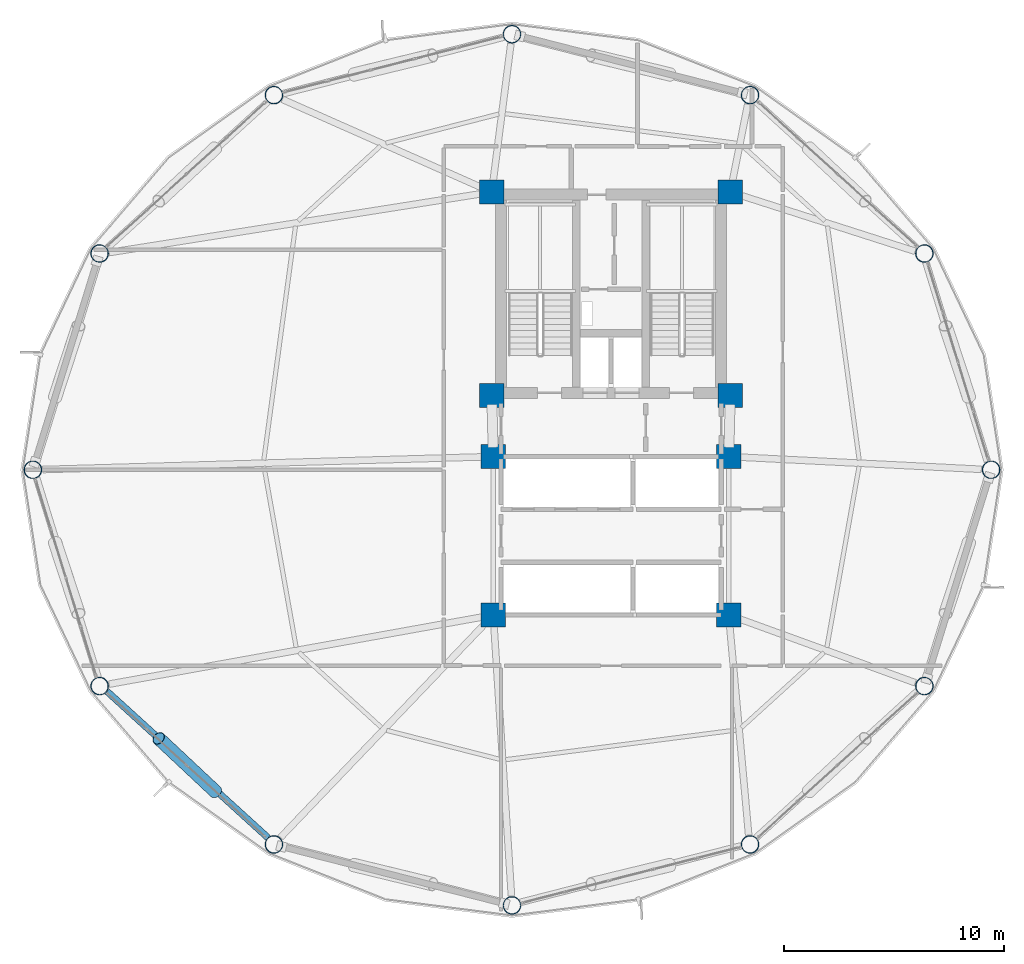
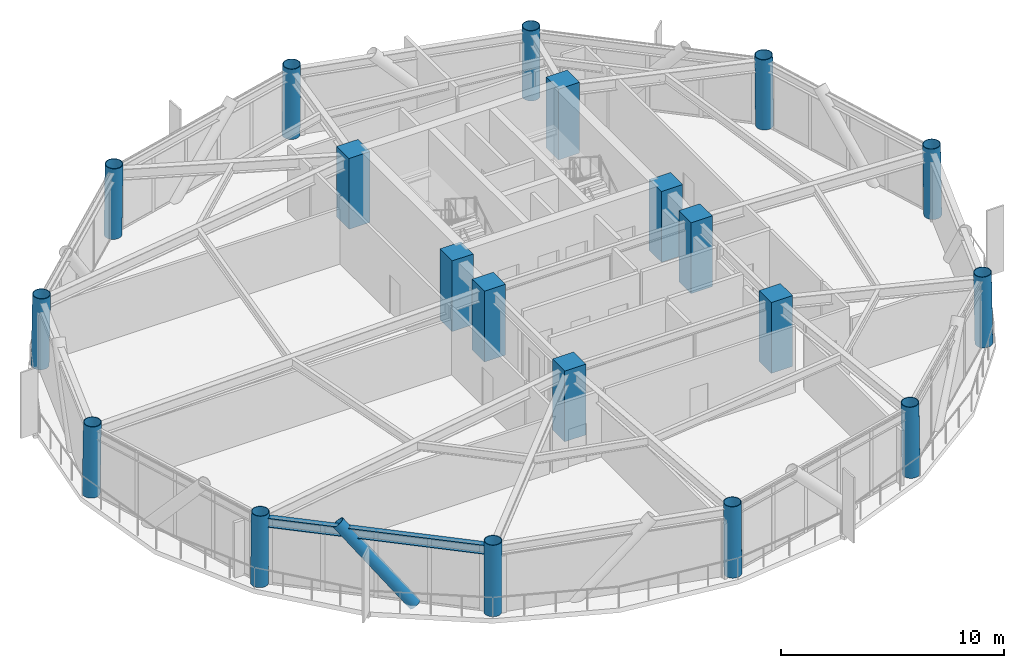
# One storey, part 1 of 25: 20 columns, 1 beam, 1 member.
"""IFC4 building model written with IfcOpenShell, lengths in metres."""

from ifc_helpers import new_model, si_unit, direction, frame, origin, origin_2d, place, context, subcontext, project, spatial, rectangle, hollow_circle, i_section, extrude, material, material_profile, profile_set, type_object, element, save


model = new_model("IFC4")

# Units and contexts
model_context = context("Model", 3, precision=1e-05, world=origin(), true_north=direction((0.0, 1.0)))
body_context = subcontext(model_context, "Body", "Model", "MODEL_VIEW")
ifc_project = project(units=[si_unit("LENGTHUNIT", "METRE"), si_unit("AREAUNIT", "SQUARE_METRE"), si_unit("VOLUMEUNIT", "CUBIC_METRE"), si_unit("PLANEANGLEUNIT", "RADIAN"), si_unit("MASSUNIT", "GRAM", prefix="KILO")], contexts=[model_context])

# Site, building, storey
site_placement = place(None, origin())
site = spatial("IfcSite", under=ifc_project, at=site_placement, CompositionType="ELEMENT")
building_placement = place(site_placement, origin())
building = spatial("IfcBuilding", under=site, at=building_placement, Name="Varnakorn Sky Granary", CompositionType="ELEMENT")
storey_placement = place(building_placement, frame((0.0, 0.0, 91.5)))
storey = spatial("IfcBuildingStorey", under=building, at=storey_placement, Name="L22", CompositionType="ELEMENT", Elevation=91.5)

# Columns
ifc_material_1 = material(Name="Steel S460M", Category="steel")
ifc_material_profile_1 = material_profile(ifc_material_1, hollow_circle(Radius=0.406494140625, WallThickness=0.030029296875, at=origin_2d()), Name="CHS 813x30")
ifc_profile_set_1 = profile_set([ifc_material_profile_1], Name="Steel S460M")
column_type_1 = type_object("IfcColumnType", Name="COL-DC-Z2", PredefinedType="COLUMN", material=ifc_profile_set_1)
for number, where, z_axis, x_axis, name in (
    (1, (20.282958984375, 0.0, 0.0), (-0.017008627934, 0.0, 0.999855342825), (0.0, -1.0, 0.0), "Drum Perimeter Column DC01 L22"),
    (2, (17.247802734375, 9.83349609375, 0.0), (-0.014741072013, -0.006047619287, 0.999873055491), (0.379556356256, -0.925168618375, 0.0), "Drum Perimeter Column DC02 L22"),
):
    element("IfcColumn", number, at=place(storey_placement, frame(where, z_axis=z_axis, x_axis=x_axis)), inside=storey, type_object=column_type_1, Name=name, PredefinedType="COLUMN", context=body_context, shape_type="SweptSolid", body=[
        extrude(hollow_circle(Radius=0.406494140625, WallThickness=0.030029296875, at=origin_2d()), origin(), (0.0, 0.0, 1.0), 3.87548828125),
    ])
for number, where, z_axis, x_axis, name in (
    (3, (9.323974609375, 17.031982421875, 0.0), (-0.008504771612, -0.010457719168, 0.999909148358), (0.775828002152, -0.630944459582, 0.0), "Drum Perimeter Column DC03 L22"),
    (4, (-1.5, 19.802001953125, 0.0), (0.0, -0.012158879352, 0.999926078094), (1.0, 0.0, 0.0), "Drum Perimeter Column DC04 L22"),
    (5, (-12.323974609375, 17.031982421875, 0.0), (0.008504771612, -0.010457719168, 0.999909148358), (0.775828002152, 0.630944459582, 0.0), "Drum Perimeter Column DC05 L22"),
):
    element("IfcColumn", number, at=place(storey_placement, frame(where, z_axis=z_axis, x_axis=x_axis)), inside=storey, type_object=column_type_1, Name=name, PredefinedType="COLUMN", context=body_context, shape_type="SweptSolid", body=[
        extrude(hollow_circle(Radius=0.406494140625, WallThickness=0.030029296875, at=origin_2d()), origin(), (0.0, 0.0, 1.0), 3.875244140625),
    ])
for number, where, z_axis, x_axis, name in (
    (6, (-20.247802734375, 9.83349609375, 0.0), (0.014741072013, -0.006047619287, 0.999873055491), (0.379556356256, 0.925168618375, 0.0), "Drum Perimeter Column DC06 L22"),
    (7, (-23.282958984375, 0.0, 0.0), (0.017008627934, 0.0, 0.999855342825), (0.0, 1.0, 0.0), "Drum Perimeter Column DC07 L22"),
    (8, (-20.247802734375, -9.83349609375, 0.0), (0.014741072013, 0.006047619287, 0.999873055491), (-0.379556356256, 0.925168618375, 0.0), "Drum Perimeter Column DC08 L22"),
):
    element("IfcColumn", number, at=place(storey_placement, frame(where, z_axis=z_axis, x_axis=x_axis)), inside=storey, type_object=column_type_1, Name=name, PredefinedType="COLUMN", context=body_context, shape_type="SweptSolid", body=[
        extrude(hollow_circle(Radius=0.406494140625, WallThickness=0.030029296875, at=origin_2d()), origin(), (0.0, 0.0, 1.0), 3.87548828125),
    ])
for number, where, z_axis, x_axis, name in (
    (9, (-12.323974609375, -17.031982421875, 0.0), (0.008504771612, 0.010457719168, 0.999909148358), (-0.775828002152, 0.630944459582, 0.0), "Drum Perimeter Column DC09 L22"),
    (10, (-1.5, -19.802001953125, 0.0), (0.0, 0.012158879352, 0.999926078094), (-1.0, 0.0, 0.0), "Drum Perimeter Column DC10 L22"),
    (11, (9.323974609375, -17.031982421875, 0.0), (-0.008504771612, 0.010457719168, 0.999909148358), (-0.775828002152, -0.630944459582, 0.0), "Drum Perimeter Column DC11 L22"),
):
    element("IfcColumn", number, at=place(storey_placement, frame(where, z_axis=z_axis, x_axis=x_axis)), inside=storey, type_object=column_type_1, Name=name, PredefinedType="COLUMN", context=body_context, shape_type="SweptSolid", body=[
        extrude(hollow_circle(Radius=0.406494140625, WallThickness=0.030029296875, at=origin_2d()), origin(), (0.0, 0.0, 1.0), 3.875244140625),
    ])
column_placement = place(storey_placement, frame((17.247802734375, -9.83349609375, 0.0), z_axis=(-0.014741072013, 0.006047619287, 0.999873055491), x_axis=(-0.379556356256, -0.925168618375, 0.0)))
element("IfcColumn", 12, at=column_placement, inside=storey, type_object=column_type_1, Name="Drum Perimeter Column DC12 L22", PredefinedType="COLUMN", context=body_context, shape_type="SweptSolid", body=[
    extrude(hollow_circle(Radius=0.406494140625, WallThickness=0.030029296875, at=origin_2d()), origin(), (0.0, 0.0, 1.0), 3.87548828125),
])
ifc_material_2 = material(Name="Concrete C60/75", Category="concrete")
ifc_material_profile_2 = material_profile(ifc_material_2, rectangle(XDim=1.10009765625, YDim=1.10009765625, at=origin_2d()), Name="RC 1100x1100")
ifc_profile_set_2 = profile_set([ifc_material_profile_2], Name="Concrete C60/75")
column_type_2 = type_object("IfcColumnType", Name="COL-MC-Z2", PredefinedType="COLUMN", material=ifc_profile_set_2)
for number, where, z_axis, x_axis, name in (
    (13, (-2.419921875, 12.6201171875, 0.0), (0.0, 0.0, 1.0), (1.0, 0.0, 0.0), "Backbone Mega-Column MC1 L22"),
    (14, (8.419921875, 12.6201171875, 0.0), (0.0, 0.0, 1.0), (1.0, 0.0, 0.0), "Backbone Mega-Column MC2 L22"),
    (15, (-2.419921875, 3.3798828125, 0.0), (0.0, 0.0, 1.0), (1.0, 0.0, 0.0), "Backbone Mega-Column MC3 L22"),
    (16, (8.419921875, 3.3798828125, 0.0), (0.0, 0.0, 1.0), (1.0, 0.0, 0.0), "Backbone Mega-Column MC4 L22"),
    (17, (-2.35009765625, 0.60009765625, 0.0), (0.0, 0.0, 1.0), (1.0, 0.0, 0.0), "Backbone Mega-Column MC5 L22"),
    (18, (8.35009765625, 0.60009765625, 0.0), (0.0, 0.0, 1.0), (1.0, 0.0, 0.0), "Backbone Mega-Column MC6 L22"),
    (19, (-2.35009765625, -6.60009765625, 0.0), (0.0, 0.0, 1.0), (1.0, 0.0, 0.0), "Backbone Mega-Column MC7 L22"),
    (20, (8.35009765625, -6.60009765625, 0.0), (0.0, 0.0, 1.0), (1.0, 0.0, 0.0), "Backbone Mega-Column MC8 L22"),
):
    element("IfcColumn", number, at=place(storey_placement, frame(where, z_axis=z_axis, x_axis=x_axis)), inside=storey, type_object=column_type_2, Name=name, PredefinedType="COLUMN", context=body_context, shape_type="SweptSolid", body=[
        extrude(rectangle(XDim=1.10009765625, YDim=1.10009765625, at=origin_2d()), origin(), (0.0, 0.0, 1.0), 3.875),
    ])

# Beam
ifc_material_3 = material(Name="Steel S355JR", Category="steel")
ifc_material_profile_3 = material_profile(ifc_material_3, i_section(OverallWidth=0.300048828125, OverallDepth=0.5, WebThickness=0.014404296875, FlangeThickness=0.028076171875, at=origin_2d()), Name="HE 500 B")
ifc_profile_set_3 = profile_set([ifc_material_profile_3], Name="Steel S355JR")
beam_type = type_object("IfcBeamType", Name="BM-SPD-Z2", PredefinedType="SPANDREL", material=ifc_profile_set_3)
beam_placement = place(storey_placement, frame((-19.90087890625, -10.073486328125, 3.389892578125), z_axis=(0.739943423445, -0.672669108923, 0.0), x_axis=(0.672669108923, 0.739943423445, 0.0)))
element("IfcBeam", 21, at=beam_placement, inside=storey, type_object=beam_type, Name="Perimeter Spandrel Ring Beam RB08 L22", PredefinedType="SPANDREL", context=body_context, shape_type="SweptSolid", body=[
    extrude(i_section(OverallWidth=0.300048828125, OverallDepth=0.5, WebThickness=0.014404296875, FlangeThickness=0.028076171875, at=origin_2d()), origin(), (0.0, 0.0, 1.0), 9.892822265625),
])

# Member
ifc_material_profile_4 = material_profile(ifc_material_1, hollow_circle(Radius=0.304931640625, WallThickness=0.022216796875, at=origin_2d()), Name="CHS 610x22")
ifc_profile_set_4 = profile_set([ifc_material_profile_4], Name="Steel S460M")
member_type = type_object("IfcMemberType", Name="MB-DIAG-T1", PredefinedType="BRACE", material=ifc_profile_set_4)
member_placement = place(storey_placement, frame((-14.965087890625, -14.632568359375, -0.1298828125), z_axis=(-0.490032666471, 0.459111411382, 0.74100249509), x_axis=(-0.683707903953, -0.729755782486, 0.0)))
element("IfcMember", 22, at=member_placement, inside=storey, type_object=member_type, Name="Perimeter CHS Diagrid Brace DG08 L22", PredefinedType="BRACE", context=body_context, shape_type="SweptSolid", body=[
    extrude(hollow_circle(Radius=0.304931640625, WallThickness=0.022216796875, at=origin_2d()), origin(), (0.0, 0.0, 1.0), 5.2900390625),
])

save(model, "model.ifc")
